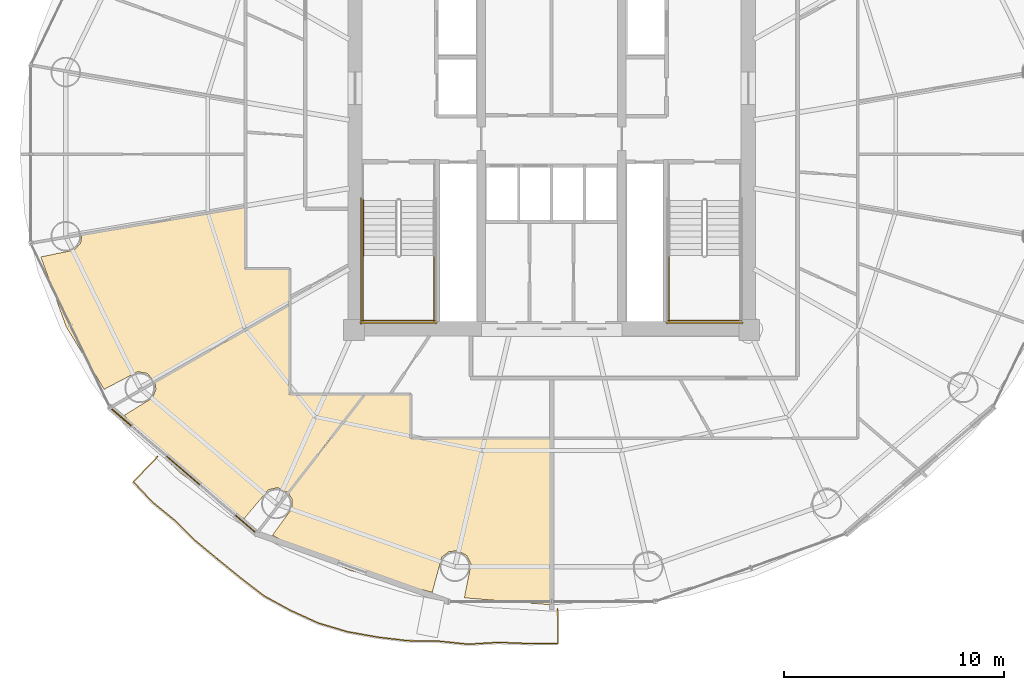
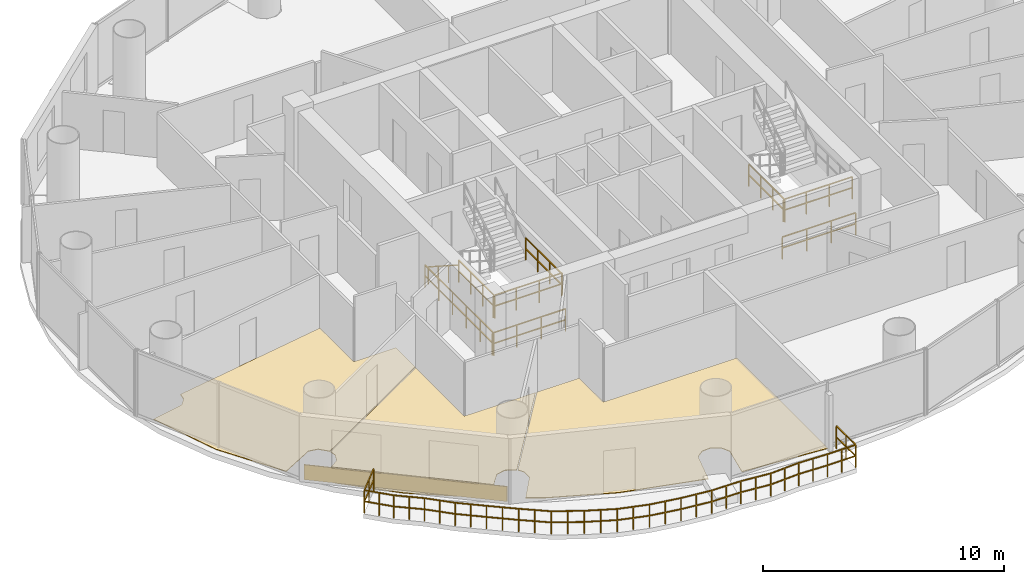
# One storey, part 24 of 26: 10 railings, 4 coverings.
"""IFC4 building model written with IfcOpenShell, lengths in metres."""

import ifcopenshell
import ifcopenshell.guid

model = None  # the IFC model being written
_history = None  # IfcOwnerHistory: only IFC2X3 demands one
_inside = {}  # id of a spatial element -> (the spatial element, [elements in it])
_under = {}  # id of a project, library or spatial element -> (it, [spatial elements below it])
_declared = {}  # id of a project -> (the project, [libraries it declares])
_typed = {}  # id of a type object -> (the type object, [elements of that type])
_made_of = {}  # id of a material, layer set ... -> (it, [elements and type objects made of it])


def new_model(schema):
    """Start an empty IFC model of exactly this schema.

    Asked for "IFC4X3", IfcOpenShell would pick the latest addendum, in which some entities
    have other attributes; the version numbers below select the first issue.
    IFC2X3 requires an IfcOwnerHistory on every rooted entity: one is made here for all.
    """
    global model, _history
    if schema == "IFC4X3":
        model = ifcopenshell.file(schema_version=(4, 3, 0, 0))
    else:
        model = ifcopenshell.file(schema=schema)
    _inside.clear()
    _under.clear()
    _declared.clear()
    _typed.clear()
    _made_of.clear()
    _history = None
    if model.schema == "IFC2X3":
        org = make("IfcOrganization", Name="unknown")
        user = make(
            "IfcPersonAndOrganization",
            ThePerson=make("IfcPerson", FamilyName="unknown"),
            TheOrganization=org,
        )
        app = make(
            "IfcApplication",
            ApplicationDeveloper=org,
            Version="unknown",
            ApplicationFullName="unknown",
            ApplicationIdentifier="unknown",
        )
        _history = make(
            "IfcOwnerHistory",
            OwningUser=user,
            OwningApplication=app,
            ChangeAction="ADDED",
            CreationDate=0,
        )
    return model


def make(cls, **values):
    """One entity of the class cls with the attributes given. An attribute that is None is left unset."""
    return model.create_entity(
        cls, **{name: value for name, value in values.items() if value is not None}
    )


def rooted(cls, **values):
    """An entity with a GlobalId (a new one), such as an element, a storey or a relation."""
    return make(cls, GlobalId=ifcopenshell.guid.new(), OwnerHistory=_history, **values)


def si_unit(unit_type, name, prefix=None):
    """IfcSIUnit, for example si_unit("LENGTHUNIT", "METRE", prefix="MILLI")."""
    return make("IfcSIUnit", UnitType=unit_type, Prefix=prefix, Name=name)


def assignment(units):
    """IfcUnitAssignment: the units of a project."""
    return None if units is None else make("IfcUnitAssignment", Units=units)


def point(xyz):
    """IfcCartesianPoint."""
    return None if xyz is None else make("IfcCartesianPoint", Coordinates=xyz)


def direction(xyz):
    """IfcDirection."""
    return None if xyz is None else make("IfcDirection", DirectionRatios=xyz)


def frame(location, z_axis=None, x_axis=None):
    """IfcAxis2Placement3D, a coordinate frame: its origin and axes. An axis left out is left unset."""
    return make(
        "IfcAxis2Placement3D",
        Location=point(location),
        Axis=direction(z_axis),
        RefDirection=direction(x_axis),
    )


def frame_2d(location, x_axis=None):
    """IfcAxis2Placement2D, a coordinate frame in the plane: its origin and x axis."""
    return make(
        "IfcAxis2Placement2D", Location=point(location), RefDirection=direction(x_axis)
    )


def origin():
    """The frame at (0, 0, 0) with its axes left unset."""
    return frame((0.0, 0.0, 0.0))


def origin_2d():
    """The frame at (0, 0) in the plane with its x axis left unset."""
    return frame_2d((0.0, 0.0))


def place(relative_to, where):
    """IfcLocalPlacement: puts the frame where relative to a parent placement (None: the world)."""
    return make(
        "IfcLocalPlacement", PlacementRelTo=relative_to, RelativePlacement=where
    )


def context(
    kind, dimensions, precision=None, world=None, true_north=None, identifier=None
):
    """IfcGeometricRepresentationContext, for example the 3D "Model" context."""
    return make(
        "IfcGeometricRepresentationContext",
        ContextIdentifier=identifier,
        ContextType=kind,
        CoordinateSpaceDimension=dimensions,
        Precision=precision,
        WorldCoordinateSystem=world,
        TrueNorth=true_north,
    )


def subcontext(parent, identifier, kind, view, scale=None):
    """IfcGeometricRepresentationSubContext, for example "Body" below "Model"."""
    return make(
        "IfcGeometricRepresentationSubContext",
        ContextIdentifier=identifier,
        ContextType=kind,
        ParentContext=parent,
        TargetScale=scale,
        TargetView=view,
    )


def project(units=None, contexts=None):
    """IfcProject with its units and contexts."""
    return rooted(
        "IfcProject",
        Name="project",
        RepresentationContexts=contexts,
        UnitsInContext=assignment(units),
    )


def spatial(cls, under=None, at=None, **own):
    """A site, building, storey or space (cls), placed at a placement, below another one or the project."""
    s = rooted(cls, ObjectPlacement=at, **own)
    if under is not None:
        _under.setdefault(under.id(), (under, []))[1].append(s)
    return s


def polyline(points):
    """IfcPolyline through the points."""
    return make("IfcPolyline", Points=[point(p) for p in points])


def profile(cls, at=None, kind="AREA", **sizes):
    """A parametric profile (cls). Its sizes go by their IFC names, for example OverallWidth=200.0."""
    return make(cls, ProfileType=kind, Position=at, **sizes)


def rectangle(**sizes):
    """IfcRectangleProfileDef."""
    return profile("IfcRectangleProfileDef", **sizes)


def outline(outer, holes=None, kind="AREA"):
    """IfcArbitraryClosedProfileDef: a profile drawn as a closed curve; with holes, ...WithVoids."""
    if holes is None:
        return make("IfcArbitraryClosedProfileDef", ProfileType=kind, OuterCurve=outer)
    return make(
        "IfcArbitraryProfileDefWithVoids",
        ProfileType=kind,
        OuterCurve=outer,
        InnerCurves=holes,
    )


def extrude(swept, where, along, depth):
    """IfcExtrudedAreaSolid: the profile swept, set in the frame where, extruded along a direction by depth."""
    return make(
        "IfcExtrudedAreaSolid",
        SweptArea=swept,
        Position=where,
        ExtrudedDirection=direction(along),
        Depth=depth,
    )


def shape(context_of_items, identifier, shape_type, items):
    """IfcShapeRepresentation: the items that make up one representation, for example the "Body"."""
    return make(
        "IfcShapeRepresentation",
        ContextOfItems=context_of_items,
        RepresentationIdentifier=identifier,
        RepresentationType=shape_type,
        Items=items,
    )


def source(mapping_origin, context_of_items, identifier, shape_type, items):
    """IfcRepresentationMap: a shape defined once, which mapped items show again and again."""
    return make(
        "IfcRepresentationMap",
        MappingOrigin=mapping_origin,
        MappedRepresentation=shape(context_of_items, identifier, shape_type, items),
    )


def transform(
    local_origin,
    x_axis=None,
    y_axis=None,
    z_axis=None,
    scale=None,
    scale2=None,
    scale3=None,
    uniform=True,
):
    """IfcCartesianTransformationOperator3D, or its non-uniform kind. x_axis, y_axis, z_axis: its Axis1, 2, 3."""
    if uniform:
        return make(
            "IfcCartesianTransformationOperator3D",
            Axis1=direction(x_axis),
            Axis2=direction(y_axis),
            LocalOrigin=point(local_origin),
            Scale=scale,
            Axis3=direction(z_axis),
        )
    return make(
        "IfcCartesianTransformationOperator3DnonUniform",
        Axis1=direction(x_axis),
        Axis2=direction(y_axis),
        LocalOrigin=point(local_origin),
        Scale=scale,
        Axis3=direction(z_axis),
        Scale2=scale2,
        Scale3=scale3,
    )


def mapped(mapping_source, mapping_target):
    """IfcMappedItem: shows the shape of a source again, moved by a transform."""
    return make(
        "IfcMappedItem", MappingSource=mapping_source, MappingTarget=mapping_target
    )


def material(Name=None, Category=None):
    """IfcMaterial."""
    return make("IfcMaterial", Name=Name, Category=Category)


def layer(
    of_material, thickness, ventilated=None, Name=None, Category=None, Priority=None
):
    """IfcMaterialLayer: one layer of a wall or slab, of a material (None: an air gap)."""
    return make(
        "IfcMaterialLayer",
        Material=of_material,
        LayerThickness=thickness,
        IsVentilated=ventilated,
        Name=Name,
        Category=Category,
        Priority=Priority,
    )


def layer_set(layers, Name=None):
    """IfcMaterialLayerSet."""
    return make("IfcMaterialLayerSet", MaterialLayers=layers, LayerSetName=Name)


def made_of(thing, what):
    """Note that an element or type object is made of a material, layer set ...; save() writes the relation."""
    if what is not None:
        _made_of.setdefault(what.id(), (what, []))[1].append(thing)
    return thing


def type_object(cls, material=None, **own):
    """A type object (cls), such as IfcWallType, which elements share."""
    return made_of(rooted(cls, **own), material)


def element(
    cls,
    number,
    at=None,
    inside=None,
    cuts=None,
    type_object=None,
    material=None,
    context=None,
    identifier="Body",
    shape_type=None,
    held_by="IfcProductDefinitionShape",
    body=None,
    shapes=None,
    **own,
):
    """One element of the class cls, such as IfcWall. Its Tag is "e" and its number.

    at: its placement. inside: the storey or other place that contains it. cuts: it is an
    opening in that element (IfcRelVoidsElement). A single representation is given by context,
    identifier, shape_type and body (its items); several are given by shapes. held_by: the class
    of the entity that holds the representations. save() writes the other relations.
    """
    e = rooted(cls, Tag="e%d" % number, ObjectPlacement=at, **own)
    if body is not None:
        shapes = [shape(context, identifier, shape_type, body)]
    if shapes is not None:
        e.Representation = make(held_by, Representations=shapes)
    if inside is not None:
        _inside.setdefault(inside.id(), (inside, []))[1].append(e)
    if cuts is not None:
        rooted(
            "IfcRelVoidsElement", RelatingBuildingElement=cuts, RelatedOpeningElement=e
        )
    if type_object is not None:
        _typed.setdefault(type_object.id(), (type_object, []))[1].append(e)
    return made_of(e, material)


def aggregate(whole, parts):
    """IfcRelAggregates: a whole, such as a stair, and the parts it consists of."""
    return rooted("IfcRelAggregates", RelatingObject=whole, RelatedObjects=parts)


def save(model, path):
    """Write the relations noted so far, then the file.

    IfcRelAggregates (storeys below a building ...), IfcRelContainedInSpatialStructure (elements
    in a storey), IfcRelDefinesByType, IfcRelAssociatesMaterial and IfcRelDeclares: one each for
    every whole, place, type object, material and project.
    """
    for whole, parts in _under.values():
        aggregate(whole, parts)
    for where, things in _inside.values():
        rooted(
            "IfcRelContainedInSpatialStructure",
            RelatedElements=things,
            RelatingStructure=where,
        )
    for kind, things in _typed.values():
        rooted("IfcRelDefinesByType", RelatedObjects=things, RelatingType=kind)
    for what, things in _made_of.values():
        rooted("IfcRelAssociatesMaterial", RelatedObjects=things, RelatingMaterial=what)
    for by, libraries in _declared.values():
        rooted("IfcRelDeclares", RelatingContext=by, RelatedDefinitions=libraries)
    model.write(path)


model = new_model("IFC4")

# Units and contexts
model_context = context("Model", 3, precision=1e-05, world=origin(), true_north=direction((-0.2419218956, 0.970295726276)))
body_context = subcontext(model_context, "Body", "Model", "MODEL_VIEW")
ifc_project = project(units=[si_unit("LENGTHUNIT", "METRE"), si_unit("AREAUNIT", "SQUARE_METRE"), si_unit("VOLUMEUNIT", "CUBIC_METRE"), si_unit("PLANEANGLEUNIT", "RADIAN"), si_unit("MASSUNIT", "GRAM", prefix="KILO")], contexts=[model_context])

# Site, building, storey
site_placement = place(None, origin())
site = spatial("IfcSite", under=ifc_project, at=site_placement, CompositionType="ELEMENT")
building_placement = place(site_placement, origin())
building = spatial("IfcBuilding", under=site, at=building_placement, Name="Cobrevalo Terracotta Tower", CompositionType="ELEMENT")
storey_placement = place(building_placement, frame((0.0, 0.0, 167.800048828125)))
storey = spatial("IfcBuildingStorey", under=building, at=storey_placement, Name="L44", CompositionType="ELEMENT", Elevation=167.800048828125)

# Railing
ifc_material_1 = material(Name="Laminated structural glass and stainless steel", Category="steel")
railing_type_1 = type_object("IfcRailingType", Name="Balcony lobe structural glass & terracotta-cap balustrade 1180 mm", PredefinedType="BALUSTRADE", material=ifc_material_1)
railing_1_placement = place(storey_placement, frame((20.060546875, 13.028076171875, 0.0)))
element("IfcRailing", 1, at=railing_1_placement, inside=storey, type_object=railing_type_1, Name="L44 spiralling balcony lobe balustrade 2", PredefinedType="BALUSTRADE", context=body_context, shape_type="SweptSolid", body=[
    extrude(rectangle(XDim=0.048095703125, YDim=0.048095703125, at=origin_2d()), frame((0.0, 0.0, 1.15576171875), z_axis=(-0.693680102527, -0.720283218851, 0.0), x_axis=(0.720283218851, -0.693680102527, 0.0)), (0.0, 0.0, 1.0), 1.587646484375),
    extrude(rectangle(XDim=0.048095703125, YDim=0.048095703125, at=origin_2d()), frame((0.0, 0.0, 0.58984375), z_axis=(-0.693680102527, -0.720283218851, 0.0), x_axis=(0.720283218851, -0.693680102527, 0.0)), (0.0, 0.0, 1.0), 1.587646484375),
    extrude(rectangle(XDim=0.048095703125, YDim=0.048095703125, at=origin_2d()), frame((-1.101318359375, -1.1435546875, 1.15576171875), z_axis=(0.685036073088, -0.728509147896, 0.0), x_axis=(0.728509147896, 0.685036073088, 0.0)), (0.0, 0.0, 1.0), 1.27490234375),
    extrude(rectangle(XDim=0.048095703125, YDim=0.048095703125, at=origin_2d()), frame((-1.101318359375, -1.1435546875, 0.58984375), z_axis=(0.685036073088, -0.728509147896, 0.0), x_axis=(0.728509147896, 0.685036073088, 0.0)), (0.0, 0.0, 1.0), 1.27490234375),
    extrude(rectangle(XDim=0.048095703125, YDim=0.048095703125, at=origin_2d()), frame((-0.22802734375, -2.072265625, 1.15576171875), z_axis=(0.774217794215, -0.632919273779, 0.0), x_axis=(0.632919273779, 0.774217794215, 0.0)), (0.0, 0.0, 1.0), 1.294189453125),
    extrude(rectangle(XDim=0.048095703125, YDim=0.048095703125, at=origin_2d()), frame((-0.22802734375, -2.072265625, 0.58984375), z_axis=(0.774217794215, -0.632919273779, 0.0), x_axis=(0.632919273779, 0.774217794215, 0.0)), (0.0, 0.0, 1.0), 1.294189453125),
    extrude(rectangle(XDim=0.048095703125, YDim=0.048095703125, at=origin_2d()), frame((0.77392578125, -2.891357421875, 1.15576171875), z_axis=(0.71118115519, -0.703008794044, 0.0), x_axis=(0.703008794044, 0.71118115519, 0.0)), (0.0, 0.0, 1.0), 1.314453125),
    extrude(rectangle(XDim=0.048095703125, YDim=0.048095703125, at=origin_2d()), frame((0.77392578125, -2.891357421875, 0.58984375), z_axis=(0.71118115519, -0.703008794044, 0.0), x_axis=(0.703008794044, 0.71118115519, 0.0)), (0.0, 0.0, 1.0), 1.314453125),
    extrude(rectangle(XDim=0.048095703125, YDim=0.048095703125, at=origin_2d()), frame((1.708740234375, -3.8154296875, 1.15576171875), z_axis=(0.770047450071, -0.637986617915, 0.0), x_axis=(0.637986617915, 0.770047450071, 0.0)), (0.0, 0.0, 1.0), 1.32373046875),
    extrude(rectangle(XDim=0.048095703125, YDim=0.048095703125, at=origin_2d()), frame((1.708740234375, -3.8154296875, 0.58984375), z_axis=(0.770047450071, -0.637986617915, 0.0), x_axis=(0.637986617915, 0.770047450071, 0.0)), (0.0, 0.0, 1.0), 1.32373046875),
    extrude(rectangle(XDim=0.048095703125, YDim=0.048095703125, at=origin_2d()), frame((2.72802734375, -4.659912109375, 1.15576171875), z_axis=(0.775699695819, -0.631102196087, 0.0), x_axis=(0.631102196087, 0.775699695819, 0.0)), (0.0, 0.0, 1.0), 1.3525390625),
    extrude(rectangle(XDim=0.048095703125, YDim=0.048095703125, at=origin_2d()), frame((2.72802734375, -4.659912109375, 0.58984375), z_axis=(0.775699695819, -0.631102196087, 0.0), x_axis=(0.631102196087, 0.775699695819, 0.0)), (0.0, 0.0, 1.0), 1.3525390625),
    extrude(rectangle(XDim=0.048095703125, YDim=0.048095703125, at=origin_2d()), frame((3.777099609375, -5.513427734375, 1.15576171875), z_axis=(0.792211823562, -0.610246201634, 0.0), x_axis=(0.610246201634, 0.792211823562, 0.0)), (0.0, 0.0, 1.0), 1.36572265625),
    extrude(rectangle(XDim=0.048095703125, YDim=0.048095703125, at=origin_2d()), frame((3.777099609375, -5.513427734375, 0.58984375), z_axis=(0.792211823562, -0.610246201634, 0.0), x_axis=(0.610246201634, 0.792211823562, 0.0)), (0.0, 0.0, 1.0), 1.36572265625),
    extrude(rectangle(XDim=0.048095703125, YDim=0.048095703125, at=origin_2d()), frame((4.859130859375, -6.346923828125, 1.15576171875), z_axis=(0.878438116586, -0.477856124088, 0.0), x_axis=(0.477856124088, 0.878438116586, 0.0)), (0.0, 0.0, 1.0), 1.374267578125),
    extrude(rectangle(XDim=0.048095703125, YDim=0.048095703125, at=origin_2d()), frame((4.859130859375, -6.346923828125, 0.58984375), z_axis=(0.878438116586, -0.477856124088, 0.0), x_axis=(0.477856124088, 0.878438116586, 0.0)), (0.0, 0.0, 1.0), 1.374267578125),
    extrude(rectangle(XDim=0.048095703125, YDim=0.048095703125, at=origin_2d()), frame((6.06640625, -7.003662109375, 1.15576171875), z_axis=(0.909928352047, -0.414765468838, 0.0), x_axis=(0.414765468838, 0.909928352047, 0.0)), (0.0, 0.0, 1.0), 1.375732421875),
    extrude(rectangle(XDim=0.048095703125, YDim=0.048095703125, at=origin_2d()), frame((6.06640625, -7.003662109375, 0.58984375), z_axis=(0.909928352047, -0.414765468838, 0.0), x_axis=(0.414765468838, 0.909928352047, 0.0)), (0.0, 0.0, 1.0), 1.375732421875),
    extrude(rectangle(XDim=0.048095703125, YDim=0.048095703125, at=origin_2d()), frame((7.318115234375, -7.57421875, 1.15576171875), z_axis=(0.958528529501, -0.284996593195, 0.0), x_axis=(0.284996593195, 0.958528529501, 0.0)), (0.0, 0.0, 1.0), 1.3818359375),
    extrude(rectangle(XDim=0.048095703125, YDim=0.048095703125, at=origin_2d()), frame((7.318115234375, -7.57421875, 0.58984375), z_axis=(0.958528529501, -0.284996593195, 0.0), x_axis=(0.284996593195, 0.958528529501, 0.0)), (0.0, 0.0, 1.0), 1.3818359375),
    extrude(rectangle(XDim=0.048095703125, YDim=0.048095703125, at=origin_2d()), frame((8.642578125, -7.968017578125, 1.15576171875), z_axis=(0.984238336213, -0.176847102122, 0.0), x_axis=(0.176847102122, 0.984238336213, 0.0)), (0.0, 0.0, 1.0), 1.3916015625),
    extrude(rectangle(XDim=0.048095703125, YDim=0.048095703125, at=origin_2d()), frame((8.642578125, -7.968017578125, 0.58984375), z_axis=(0.984238336213, -0.176847102122, 0.0), x_axis=(0.176847102122, 0.984238336213, 0.0)), (0.0, 0.0, 1.0), 1.3916015625),
    extrude(rectangle(XDim=0.048095703125, YDim=0.048095703125, at=origin_2d()), frame((10.01220703125, -8.214111328125, 1.15576171875), z_axis=(0.992930980123, -0.118693170448, 0.0), x_axis=(0.118693170448, 0.992930980123, 0.0)), (0.0, 0.0, 1.0), 1.38427734375),
    extrude(rectangle(XDim=0.048095703125, YDim=0.048095703125, at=origin_2d()), frame((10.01220703125, -8.214111328125, 0.58984375), z_axis=(0.992930980123, -0.118693170448, 0.0), x_axis=(0.118693170448, 0.992930980123, 0.0)), (0.0, 0.0, 1.0), 1.38427734375),
    extrude(rectangle(XDim=0.048095703125, YDim=0.048095703125, at=origin_2d()), frame((11.38671875, -8.37841796875, 1.15576171875), z_axis=(0.999909437467, -0.013457966559, 0.0), x_axis=(0.013457966559, 0.999909437467, 0.0)), (0.0, 0.0, 1.0), 1.39697265625),
    extrude(rectangle(XDim=0.048095703125, YDim=0.048095703125, at=origin_2d()), frame((11.38671875, -8.37841796875, 0.58984375), z_axis=(0.999909437467, -0.013457966559, 0.0), x_axis=(0.013457966559, 0.999909437467, 0.0)), (0.0, 0.0, 1.0), 1.39697265625),
    extrude(rectangle(XDim=0.048095703125, YDim=0.048095703125, at=origin_2d()), frame((12.783447265625, -8.397216796875, 1.15576171875), z_axis=(0.994882228854, -0.101041331694, 0.0), x_axis=(0.101041331694, 0.994882228854, 0.0)), (0.0, 0.0, 1.0), 1.36767578125),
    extrude(rectangle(XDim=0.048095703125, YDim=0.048095703125, at=origin_2d()), frame((12.783447265625, -8.397216796875, 0.58984375), z_axis=(0.994882228854, -0.101041331694, 0.0), x_axis=(0.101041331694, 0.994882228854, 0.0)), (0.0, 0.0, 1.0), 1.36767578125),
    extrude(rectangle(XDim=0.048095703125, YDim=0.048095703125, at=origin_2d()), frame((14.14404296875, -8.535400390625, 1.15576171875), z_axis=(0.998302340499, 0.058244630258, 0.0), x_axis=(-0.058244630258, 0.998302340499, 0.0)), (0.0, 0.0, 1.0), 1.379150390625),
    extrude(rectangle(XDim=0.048095703125, YDim=0.048095703125, at=origin_2d()), frame((14.14404296875, -8.535400390625, 0.58984375), z_axis=(0.998302340499, 0.058244630258, 0.0), x_axis=(-0.058244630258, 0.998302340499, 0.0)), (0.0, 0.0, 1.0), 1.379150390625),
    extrude(rectangle(XDim=0.048095703125, YDim=0.048095703125, at=origin_2d()), frame((15.520751953125, -8.455078125, 1.15576171875), z_axis=(0.999288251405, -0.037722547689, 0.0), x_axis=(0.037722547689, 0.999288251405, 0.0)), (0.0, 0.0, 1.0), 1.359130859375),
    extrude(rectangle(XDim=0.048095703125, YDim=0.048095703125, at=origin_2d()), frame((15.520751953125, -8.455078125, 0.58984375), z_axis=(0.999288251405, -0.037722547689, 0.0), x_axis=(0.037722547689, 0.999288251405, 0.0)), (0.0, 0.0, 1.0), 1.359130859375),
    extrude(rectangle(XDim=0.048095703125, YDim=0.048095703125, at=origin_2d()), frame((16.87890625, -8.50634765625, 1.15576171875), z_axis=(0.999995313923, 0.003061393902, 0.0), x_axis=(-0.003061393902, 0.999995313923, 0.0)), (0.0, 0.0, 1.0), 1.355712890625),
    extrude(rectangle(XDim=0.048095703125, YDim=0.048095703125, at=origin_2d()), frame((16.87890625, -8.50634765625, 0.58984375), z_axis=(0.999995313923, 0.003061393902, 0.0), x_axis=(-0.003061393902, 0.999995313923, 0.0)), (0.0, 0.0, 1.0), 1.355712890625),
    extrude(rectangle(XDim=0.048095703125, YDim=0.048095703125, at=origin_2d()), frame((18.234619140625, -8.502197265625, 1.15576171875), z_axis=(-0.010044308616, 0.99994955466, 0.0), x_axis=(-0.99994955466, -0.010044308616, 0.0)), (0.0, 0.0, 1.0), 1.579833984375),
    extrude(rectangle(XDim=0.048095703125, YDim=0.048095703125, at=origin_2d()), frame((18.234619140625, -8.502197265625, 0.58984375), z_axis=(-0.010044308616, 0.99994955466, 0.0), x_axis=(-0.99994955466, -0.010044308616, 0.0)), (0.0, 0.0, 1.0), 1.579833984375),
    extrude(rectangle(XDim=0.0419921875, YDim=0.0419921875, at=origin_2d()), origin(), (0.0, 0.0, 1.0), 1.1318359375),
    extrude(rectangle(XDim=0.0419921875, YDim=0.0419921875, at=origin_2d()), frame((-0.55078125, -0.57177734375, 0.0)), (0.0, 0.0, 1.0), 1.1318359375),
    extrude(rectangle(XDim=0.0419921875, YDim=0.0419921875, at=origin_2d()), frame((-1.101318359375, -1.1435546875, 0.0)), (0.0, 0.0, 1.0), 1.1318359375),
    extrude(rectangle(XDim=0.0419921875, YDim=0.0419921875, at=origin_2d()), frame((-0.66455078125, -1.60791015625, 0.0)), (0.0, 0.0, 1.0), 1.1318359375),
    extrude(rectangle(XDim=0.0419921875, YDim=0.0419921875, at=origin_2d()), frame((-0.22802734375, -2.072265625, 0.0)), (0.0, 0.0, 1.0), 1.1318359375),
    extrude(rectangle(XDim=0.0419921875, YDim=0.0419921875, at=origin_2d()), frame((0.27294921875, -2.48193359375, 0.0)), (0.0, 0.0, 1.0), 1.1318359375),
    extrude(rectangle(XDim=0.0419921875, YDim=0.0419921875, at=origin_2d()), frame((0.77392578125, -2.891357421875, 0.0)), (0.0, 0.0, 1.0), 1.1318359375),
    extrude(rectangle(XDim=0.0419921875, YDim=0.0419921875, at=origin_2d()), frame((1.2412109375, -3.353515625, 0.0)), (0.0, 0.0, 1.0), 1.1318359375),
    extrude(rectangle(XDim=0.0419921875, YDim=0.0419921875, at=origin_2d()), frame((1.708740234375, -3.8154296875, 0.0)), (0.0, 0.0, 1.0), 1.1318359375),
    extrude(rectangle(XDim=0.0419921875, YDim=0.0419921875, at=origin_2d()), frame((2.21826171875, -4.23779296875, 0.0)), (0.0, 0.0, 1.0), 1.1318359375),
    extrude(rectangle(XDim=0.0419921875, YDim=0.0419921875, at=origin_2d()), frame((2.72802734375, -4.659912109375, 0.0)), (0.0, 0.0, 1.0), 1.1318359375),
    extrude(rectangle(XDim=0.0419921875, YDim=0.0419921875, at=origin_2d()), frame((3.25244140625, -5.086669921875, 0.0)), (0.0, 0.0, 1.0), 1.1318359375),
    extrude(rectangle(XDim=0.0419921875, YDim=0.0419921875, at=origin_2d()), frame((3.777099609375, -5.513427734375, 0.0)), (0.0, 0.0, 1.0), 1.1318359375),
    extrude(rectangle(XDim=0.0419921875, YDim=0.0419921875, at=origin_2d()), frame((4.318115234375, -5.93017578125, 0.0)), (0.0, 0.0, 1.0), 1.1318359375),
    extrude(rectangle(XDim=0.0419921875, YDim=0.0419921875, at=origin_2d()), frame((4.859130859375, -6.346923828125, 0.0)), (0.0, 0.0, 1.0), 1.1318359375),
    extrude(rectangle(XDim=0.0419921875, YDim=0.0419921875, at=origin_2d()), frame((5.462890625, -6.67529296875, 0.0)), (0.0, 0.0, 1.0), 1.1318359375),
    extrude(rectangle(XDim=0.0419921875, YDim=0.0419921875, at=origin_2d()), frame((6.06640625, -7.003662109375, 0.0)), (0.0, 0.0, 1.0), 1.1318359375),
    extrude(rectangle(XDim=0.0419921875, YDim=0.0419921875, at=origin_2d()), frame((6.6923828125, -7.2890625, 0.0)), (0.0, 0.0, 1.0), 1.1318359375),
    extrude(rectangle(XDim=0.0419921875, YDim=0.0419921875, at=origin_2d()), frame((7.318115234375, -7.57421875, 0.0)), (0.0, 0.0, 1.0), 1.1318359375),
    extrude(rectangle(XDim=0.0419921875, YDim=0.0419921875, at=origin_2d()), frame((7.98046875, -7.77099609375, 0.0)), (0.0, 0.0, 1.0), 1.1318359375),
    extrude(rectangle(XDim=0.0419921875, YDim=0.0419921875, at=origin_2d()), frame((8.642578125, -7.968017578125, 0.0)), (0.0, 0.0, 1.0), 1.1318359375),
    extrude(rectangle(XDim=0.0419921875, YDim=0.0419921875, at=origin_2d()), frame((9.327392578125, -8.091064453125, 0.0)), (0.0, 0.0, 1.0), 1.1318359375),
    extrude(rectangle(XDim=0.0419921875, YDim=0.0419921875, at=origin_2d()), frame((10.01220703125, -8.214111328125, 0.0)), (0.0, 0.0, 1.0), 1.1318359375),
    extrude(rectangle(XDim=0.0419921875, YDim=0.0419921875, at=origin_2d()), frame((10.699462890625, -8.29638671875, 0.0)), (0.0, 0.0, 1.0), 1.1318359375),
    extrude(rectangle(XDim=0.0419921875, YDim=0.0419921875, at=origin_2d()), frame((11.38671875, -8.37841796875, 0.0)), (0.0, 0.0, 1.0), 1.1318359375),
    extrude(rectangle(XDim=0.0419921875, YDim=0.0419921875, at=origin_2d()), frame((12.0849609375, -8.3876953125, 0.0)), (0.0, 0.0, 1.0), 1.1318359375),
    extrude(rectangle(XDim=0.0419921875, YDim=0.0419921875, at=origin_2d()), frame((12.783447265625, -8.397216796875, 0.0)), (0.0, 0.0, 1.0), 1.1318359375),
    extrude(rectangle(XDim=0.0419921875, YDim=0.0419921875, at=origin_2d()), frame((13.4638671875, -8.46630859375, 0.0)), (0.0, 0.0, 1.0), 1.1318359375),
    extrude(rectangle(XDim=0.0419921875, YDim=0.0419921875, at=origin_2d()), frame((14.14404296875, -8.535400390625, 0.0)), (0.0, 0.0, 1.0), 1.1318359375),
    extrude(rectangle(XDim=0.0419921875, YDim=0.0419921875, at=origin_2d()), frame((14.83251953125, -8.4951171875, 0.0)), (0.0, 0.0, 1.0), 1.1318359375),
    extrude(rectangle(XDim=0.0419921875, YDim=0.0419921875, at=origin_2d()), frame((15.520751953125, -8.455078125, 0.0)), (0.0, 0.0, 1.0), 1.1318359375),
    extrude(rectangle(XDim=0.0419921875, YDim=0.0419921875, at=origin_2d()), frame((16.19970703125, -8.480712890625, 0.0)), (0.0, 0.0, 1.0), 1.1318359375),
    extrude(rectangle(XDim=0.0419921875, YDim=0.0419921875, at=origin_2d()), frame((16.87890625, -8.50634765625, 0.0)), (0.0, 0.0, 1.0), 1.1318359375),
    extrude(rectangle(XDim=0.0419921875, YDim=0.0419921875, at=origin_2d()), frame((17.556640625, -8.50439453125, 0.0)), (0.0, 0.0, 1.0), 1.1318359375),
    extrude(rectangle(XDim=0.0419921875, YDim=0.0419921875, at=origin_2d()), frame((18.234619140625, -8.502197265625, 0.0)), (0.0, 0.0, 1.0), 1.1318359375),
    extrude(rectangle(XDim=0.0419921875, YDim=0.0419921875, at=origin_2d()), frame((18.2265625, -7.71240234375, 0.0)), (0.0, 0.0, 1.0), 1.1318359375),
    extrude(rectangle(XDim=0.0419921875, YDim=0.0419921875, at=origin_2d()), frame((18.21875, -6.92236328125, 0.0)), (0.0, 0.0, 1.0), 1.1318359375),
])

# Coverings
ifc_material_2 = material(Name="Engineered Brazilian hardwood flooring", Category="wood")
ifc_layer_1 = layer(ifc_material_2, 0.028076171875)
ifc_layer_set_1 = layer_set([ifc_layer_1], Name="Engineered Brazilian hardwood flooring")
covering_type_1 = type_object("IfcCoveringType", Name="Engineered Hardwood Suite Flooring 28", PredefinedType="FLOORING", material=ifc_layer_set_1)
covering_1_placement = place(storey_placement, origin())
element("IfcCovering", 2, at=covering_1_placement, inside=storey, type_object=covering_type_1, Name="Flat L44A Penthouse Family Lounge floor finish", PredefinedType="FLOORING", context=body_context, shape_type="SweptSolid", body=[
    extrude(outline(polyline([(15.900390625, 18.948486328125), (14.748291015625, 22.121826171875), (16.2763671875, 22.43701171875), (16.55859375, 22.760986328125), (16.617431640625, 23.1240234375), (24.044921875, 24.393798828125), (24.044921875, 21.570068359375), (26.054931640625, 21.570068359375), (26.054931640625, 19.963134765625), (19.929931640625, 16.4453125), (19.582763671875, 16.822021484375), (19.1591796875, 16.895263671875), (17.632568359375, 16.09375), (15.900390625, 18.948486328125)])), origin(), (0.0, 0.0, 1.0), 0.030029296875),
])
covering_2_placement = place(storey_placement, origin())
element("IfcCovering", 3, at=covering_2_placement, inside=storey, type_object=covering_type_1, Name="Flat L44A Penthouse Family Lounge floor finish", PredefinedType="FLOORING", context=body_context, shape_type="SweptSolid", body=[
    extrude(outline(polyline([(21.0849609375, 12.291259765625), (19.02197265625, 14.309326171875), (18.551513671875, 14.91357421875), (19.834228515625, 15.705810546875), (19.988525390625, 16.10693359375), (19.94384765625, 16.4072265625), (26.054931640625, 19.9169921875), (26.054931640625, 15.85498046875), (29.466064453125, 15.85498046875), (25.997802734375, 11.3935546875), (25.529296875, 11.615234375), (25.109619140625, 11.522705078125), (23.99755859375, 10.2001953125), (21.0849609375, 12.291259765625)])), origin(), (0.0, 0.0, 1.0), 0.030029296875),
])
covering_3_placement = place(storey_placement, origin())
element("IfcCovering", 4, at=covering_3_placement, inside=storey, type_object=covering_type_1, Name="Flat L44A Private Cinema Room floor finish", PredefinedType="FLOORING", context=body_context, shape_type="SweptSolid", body=[
    extrude(outline(polyline([(26.038818359375, 9.02978515625), (25.295166015625, 9.4560546875), (26.184326171875, 10.67724609375), (26.175537109375, 11.106689453125), (26.02490234375, 11.363525390625), (29.5166015625, 15.85498046875), (31.570068359375, 15.85498046875), (31.570068359375, 13.844970703125), (37.97998046875, 13.844970703125), (37.97998046875, 6.28125), (34.02880859375, 6.6005859375), (34.3310546875, 8.1376953125), (34.141357421875, 8.5234375), (33.76953125, 8.738525390625), (33.3408203125, 8.7109375), (32.99951171875, 8.44970703125), (32.567138671875, 6.849853515625), (28.84521484375, 7.84228515625), (26.038818359375, 9.02978515625)])), origin(), (0.0, 0.0, 1.0), 0.030029296875),
])

# Railings
ifc_material_3 = material(Name="Brushed stainless steel", Category="steel")
railing_type_2 = type_object("IfcRailingType", Name="Stainless Steel Stair Handrail 900", PredefinedType="HANDRAIL", material=ifc_material_3)
railing_2_placement = place(storey_placement, frame((29.425048828125, 24.699951171875, 0.179931640625)))
element("IfcRailing", 5, at=railing_2_placement, inside=storey, type_object=railing_type_2, Name="L44 ST-1 stair handrail 1", PredefinedType="HANDRAIL", context=body_context, shape_type="SweptSolid", body=[
    extrude(rectangle(XDim=0.048095703125, YDim=0.048095703125, at=origin_2d()), frame((0.0, 0.0, 0.8759765625), z_axis=(0.0, -0.841162588446, 0.540782303519), x_axis=(1.0, 0.0, 0.0)), (0.0, 0.0, 1.0), 2.995849609375),
    extrude(rectangle(XDim=0.0419921875, YDim=0.0419921875, at=origin_2d()), origin(), (0.0, 0.0, 1.0), 0.851806640625),
    extrude(rectangle(XDim=0.0419921875, YDim=0.0419921875, at=origin_2d()), frame((0.0, -0.840087890625, 0.5400390625)), (0.0, 0.0, 1.0), 0.851806640625),
    extrude(rectangle(XDim=0.0419921875, YDim=0.0419921875, at=origin_2d()), frame((0.0, -1.679931640625, 1.080078125)), (0.0, 0.0, 1.0), 0.851806640625),
    extrude(rectangle(XDim=0.0419921875, YDim=0.0419921875, at=origin_2d()), frame((0.0, -2.52001953125, 1.6201171875)), (0.0, 0.0, 1.0), 0.851806640625),
])
ifc_material_4 = material(Name="Painted galvanized steel", Category="steel")
railing_type_3 = type_object("IfcRailingType", Name="Stair Well Guard Balustrade 1150", PredefinedType="GUARDRAIL", material=ifc_material_4)
for number, where, name in (
    (6, (29.425048828125, 22.179931640625, 1.800048828125), "L44 ST-1 stair guard 3"),
    (7, (32.64501953125, 22.179931640625, 1.800048828125), "L44 ST-1 stair guard 4"),
):
    element("IfcRailing", number, at=place(storey_placement, frame(where)), inside=storey, type_object=railing_type_3, Name=name, PredefinedType="GUARDRAIL", context=body_context, shape_type="SweptSolid", body=[
        extrude(rectangle(XDim=0.048095703125, YDim=0.048095703125, at=origin_2d()), frame((0.0, 0.0, 1.1259765625), z_axis=(0.0, -1.0, 0.0), x_axis=(1.0, 0.0, 0.0)), (0.0, 0.0, 1.0), 3.0048828125),
        extrude(rectangle(XDim=0.048095703125, YDim=0.048095703125, at=origin_2d()), frame((0.0, 0.0, 0.574951171875), z_axis=(0.0, -1.0, 0.0), x_axis=(1.0, 0.0, 0.0)), (0.0, 0.0, 1.0), 3.0048828125),
        extrude(rectangle(XDim=0.0419921875, YDim=0.0419921875, at=origin_2d()), origin(), (0.0, 0.0, 1.0), 1.101806640625),
        extrude(rectangle(XDim=0.0419921875, YDim=0.0419921875, at=origin_2d()), frame((0.0, -1.001708984375, 0.0)), (0.0, 0.0, 1.0), 1.101806640625),
        extrude(rectangle(XDim=0.0419921875, YDim=0.0419921875, at=origin_2d()), frame((0.0, -2.003173828125, 0.0)), (0.0, 0.0, 1.0), 1.101806640625),
        extrude(rectangle(XDim=0.0419921875, YDim=0.0419921875, at=origin_2d()), frame((0.0, -3.0048828125, 0.0)), (0.0, 0.0, 1.0), 1.101806640625),
    ])
railing_3_placement = place(storey_placement, frame((29.375, 19.22509765625, 1.800048828125)))
element("IfcRailing", 8, at=railing_3_placement, inside=storey, type_object=railing_type_3, Name="L44 ST-1 stair guard 5", PredefinedType="GUARDRAIL", context=body_context, shape_type="SweptSolid", body=[
    extrude(rectangle(XDim=0.048095703125, YDim=0.048095703125, at=origin_2d()), frame((0.0, 0.0, 1.1259765625), z_axis=(1.0, 0.0, 0.0), x_axis=(0.0, 1.0, 0.0)), (0.0, 0.0, 1.0), 3.320068359375),
    extrude(rectangle(XDim=0.048095703125, YDim=0.048095703125, at=origin_2d()), frame((0.0, 0.0, 0.574951171875), z_axis=(1.0, 0.0, 0.0), x_axis=(0.0, 1.0, 0.0)), (0.0, 0.0, 1.0), 3.320068359375),
    extrude(rectangle(XDim=0.0419921875, YDim=0.0419921875, at=origin_2d()), origin(), (0.0, 0.0, 1.0), 1.101806640625),
    extrude(rectangle(XDim=0.0419921875, YDim=0.0419921875, at=origin_2d()), frame((1.106689453125, 0.0, 0.0)), (0.0, 0.0, 1.0), 1.101806640625),
    extrude(rectangle(XDim=0.0419921875, YDim=0.0419921875, at=origin_2d()), frame((2.21337890625, 0.0, 0.0)), (0.0, 0.0, 1.0), 1.101806640625),
    extrude(rectangle(XDim=0.0419921875, YDim=0.0419921875, at=origin_2d()), frame((3.320068359375, 0.0, 0.0)), (0.0, 0.0, 1.0), 1.101806640625),
])
railing_4_placement = place(storey_placement, frame((29.324951171875, 24.800048828125, 0.0)))
element("IfcRailing", 9, at=railing_4_placement, inside=storey, type_object=railing_type_3, Name="L44 ST-1 stair guard 10", PredefinedType="GUARDRAIL", context=body_context, shape_type="SweptSolid", body=[
    extrude(rectangle(XDim=0.048095703125, YDim=0.048095703125, at=origin_2d()), frame((0.0, 0.0, 1.1259765625), z_axis=(0.0, -1.0, 0.0), x_axis=(1.0, 0.0, 0.0)), (0.0, 0.0, 1.0), 5.72509765625),
    extrude(rectangle(XDim=0.048095703125, YDim=0.048095703125, at=origin_2d()), frame((0.0, 0.0, 0.574951171875), z_axis=(0.0, -1.0, 0.0), x_axis=(1.0, 0.0, 0.0)), (0.0, 0.0, 1.0), 5.72509765625),
    extrude(rectangle(XDim=0.0419921875, YDim=0.0419921875, at=origin_2d()), origin(), (0.0, 0.0, 1.0), 1.101806640625),
    extrude(rectangle(XDim=0.0419921875, YDim=0.0419921875, at=origin_2d()), frame((0.0, -1.14501953125, 0.0)), (0.0, 0.0, 1.0), 1.101806640625),
    extrude(rectangle(XDim=0.0419921875, YDim=0.0419921875, at=origin_2d()), frame((0.0, -2.2900390625, 0.0)), (0.0, 0.0, 1.0), 1.101806640625),
    extrude(rectangle(XDim=0.0419921875, YDim=0.0419921875, at=origin_2d()), frame((0.0, -3.43505859375, 0.0)), (0.0, 0.0, 1.0), 1.101806640625),
    extrude(rectangle(XDim=0.0419921875, YDim=0.0419921875, at=origin_2d()), frame((0.0, -4.580078125, 0.0)), (0.0, 0.0, 1.0), 1.101806640625),
    extrude(rectangle(XDim=0.0419921875, YDim=0.0419921875, at=origin_2d()), frame((0.0, -5.72509765625, 0.0)), (0.0, 0.0, 1.0), 1.101806640625),
])
railing_5_placement = place(storey_placement, frame((29.27490234375, 19.125, 0.0)))
element("IfcRailing", 10, at=railing_5_placement, inside=storey, type_object=railing_type_3, Name="L44 ST-1 stair guard 12", PredefinedType="GUARDRAIL", context=body_context, shape_type="SweptSolid", body=[
    extrude(rectangle(XDim=0.048095703125, YDim=0.048095703125, at=origin_2d()), frame((0.0, 0.0, 1.1259765625), z_axis=(1.0, 0.0, 0.0), x_axis=(0.0, 1.0, 0.0)), (0.0, 0.0, 1.0), 3.52001953125),
    extrude(rectangle(XDim=0.048095703125, YDim=0.048095703125, at=origin_2d()), frame((0.0, 0.0, 0.574951171875), z_axis=(1.0, 0.0, 0.0), x_axis=(0.0, 1.0, 0.0)), (0.0, 0.0, 1.0), 3.52001953125),
    extrude(rectangle(XDim=0.0419921875, YDim=0.0419921875, at=origin_2d()), origin(), (0.0, 0.0, 1.0), 1.101806640625),
    extrude(rectangle(XDim=0.0419921875, YDim=0.0419921875, at=origin_2d()), frame((1.17333984375, 0.0, 0.0)), (0.0, 0.0, 1.0), 1.101806640625),
    extrude(rectangle(XDim=0.0419921875, YDim=0.0419921875, at=origin_2d()), frame((2.3466796875, 0.0, 0.0)), (0.0, 0.0, 1.0), 1.101806640625),
    extrude(rectangle(XDim=0.0419921875, YDim=0.0419921875, at=origin_2d()), frame((3.52001953125, 0.0, 0.0)), (0.0, 0.0, 1.0), 1.101806640625),
])
railing_6_placement = place(storey_placement, frame((43.35498046875, 22.179931640625, 1.800048828125)))
element("IfcRailing", 11, at=railing_6_placement, inside=storey, type_object=railing_type_3, Name="L44 ST-2 stair guard 3", PredefinedType="GUARDRAIL", context=body_context, shape_type="SweptSolid", body=[
    extrude(rectangle(XDim=0.048095703125, YDim=0.048095703125, at=origin_2d()), frame((0.0, 0.0, 1.1259765625), z_axis=(0.0, -1.0, 0.0), x_axis=(1.0, 0.0, 0.0)), (0.0, 0.0, 1.0), 3.0048828125),
    extrude(rectangle(XDim=0.048095703125, YDim=0.048095703125, at=origin_2d()), frame((0.0, 0.0, 0.574951171875), z_axis=(0.0, -1.0, 0.0), x_axis=(1.0, 0.0, 0.0)), (0.0, 0.0, 1.0), 3.0048828125),
    extrude(rectangle(XDim=0.0419921875, YDim=0.0419921875, at=origin_2d()), origin(), (0.0, 0.0, 1.0), 1.101806640625),
    extrude(rectangle(XDim=0.0419921875, YDim=0.0419921875, at=origin_2d()), frame((0.0, -1.001708984375, 0.0)), (0.0, 0.0, 1.0), 1.101806640625),
    extrude(rectangle(XDim=0.0419921875, YDim=0.0419921875, at=origin_2d()), frame((0.0, -2.003173828125, 0.0)), (0.0, 0.0, 1.0), 1.101806640625),
    extrude(rectangle(XDim=0.0419921875, YDim=0.0419921875, at=origin_2d()), frame((0.0, -3.0048828125, 0.0)), (0.0, 0.0, 1.0), 1.101806640625),
])
railing_7_placement = place(storey_placement, frame((43.304931640625, 19.22509765625, 1.800048828125)))
element("IfcRailing", 12, at=railing_7_placement, inside=storey, type_object=railing_type_3, Name="L44 ST-2 stair guard 5", PredefinedType="GUARDRAIL", context=body_context, shape_type="SweptSolid", body=[
    extrude(rectangle(XDim=0.048095703125, YDim=0.048095703125, at=origin_2d()), frame((0.0, 0.0, 1.1259765625), z_axis=(1.0, 0.0, 0.0), x_axis=(0.0, 1.0, 0.0)), (0.0, 0.0, 1.0), 3.320068359375),
    extrude(rectangle(XDim=0.048095703125, YDim=0.048095703125, at=origin_2d()), frame((0.0, 0.0, 0.574951171875), z_axis=(1.0, 0.0, 0.0), x_axis=(0.0, 1.0, 0.0)), (0.0, 0.0, 1.0), 3.320068359375),
    extrude(rectangle(XDim=0.0419921875, YDim=0.0419921875, at=origin_2d()), origin(), (0.0, 0.0, 1.0), 1.101806640625),
    extrude(rectangle(XDim=0.0419921875, YDim=0.0419921875, at=origin_2d()), frame((1.106689453125, 0.0, 0.0)), (0.0, 0.0, 1.0), 1.101806640625),
    extrude(rectangle(XDim=0.0419921875, YDim=0.0419921875, at=origin_2d()), frame((2.21337890625, 0.0, 0.0)), (0.0, 0.0, 1.0), 1.101806640625),
    extrude(rectangle(XDim=0.0419921875, YDim=0.0419921875, at=origin_2d()), frame((3.320068359375, 0.0, 0.0)), (0.0, 0.0, 1.0), 1.101806640625),
])
railing_8_placement = place(storey_placement, frame((43.205078125, 19.125, 0.0)))
element("IfcRailing", 13, at=railing_8_placement, inside=storey, type_object=railing_type_3, Name="L44 ST-2 stair guard 12", PredefinedType="GUARDRAIL", context=body_context, shape_type="SweptSolid", body=[
    extrude(rectangle(XDim=0.048095703125, YDim=0.048095703125, at=origin_2d()), frame((0.0, 0.0, 1.1259765625), z_axis=(1.0, 0.0, 0.0), x_axis=(0.0, 1.0, 0.0)), (0.0, 0.0, 1.0), 3.52001953125),
    extrude(rectangle(XDim=0.048095703125, YDim=0.048095703125, at=origin_2d()), frame((0.0, 0.0, 0.574951171875), z_axis=(1.0, 0.0, 0.0), x_axis=(0.0, 1.0, 0.0)), (0.0, 0.0, 1.0), 3.52001953125),
    extrude(rectangle(XDim=0.0419921875, YDim=0.0419921875, at=origin_2d()), origin(), (0.0, 0.0, 1.0), 1.101806640625),
    extrude(rectangle(XDim=0.0419921875, YDim=0.0419921875, at=origin_2d()), frame((1.17333984375, 0.0, 0.0)), (0.0, 0.0, 1.0), 1.101806640625),
    extrude(rectangle(XDim=0.0419921875, YDim=0.0419921875, at=origin_2d()), frame((2.3466796875, 0.0, 0.0)), (0.0, 0.0, 1.0), 1.101806640625),
    extrude(rectangle(XDim=0.0419921875, YDim=0.0419921875, at=origin_2d()), frame((3.52001953125, 0.0, 0.0)), (0.0, 0.0, 1.0), 1.101806640625),
])

# Covering
ifc_material_5 = material(Name="Glazed terracotta facade cladding tile", Category="masonry")
ifc_layer_2 = layer(ifc_material_5, 0.044921875)
ifc_layer_set_2 = layer_set([ifc_layer_2], Name="Glazed terracotta facade cladding tile")
covering_type_2 = type_object("IfcCoveringType", Name="Architectural terracotta rainscreen spandrel cladding 45 mm", PredefinedType="CLADDING", material=ifc_layer_set_2)
shared_shape = source(origin(), body_context, "Body", "SweptSolid", [
    extrude(rectangle(XDim=8.59228515625, YDim=0.044921875, at=origin_2d()), origin(), (0.0, 0.0, 1.0), 0.760009765625),
])
covering_4_placement = place(storey_placement, frame((21.237548828125, 12.3955078125, 0.0400390625), z_axis=(0.0, 0.0, 1.0), x_axis=(0.758436996112, -0.651746363955, 0.0)))
element("IfcCovering", 14, at=covering_4_placement, inside=storey, type_object=covering_type_2, Name="L44 terracotta spandrel cladding S10", PredefinedType="CLADDING", context=body_context, shape_type="MappedRepresentation", body=[
    mapped(shared_shape, transform((0.0, 0.0, 0.0), scale=1.0)),
])

save(model, "model.ifc")
